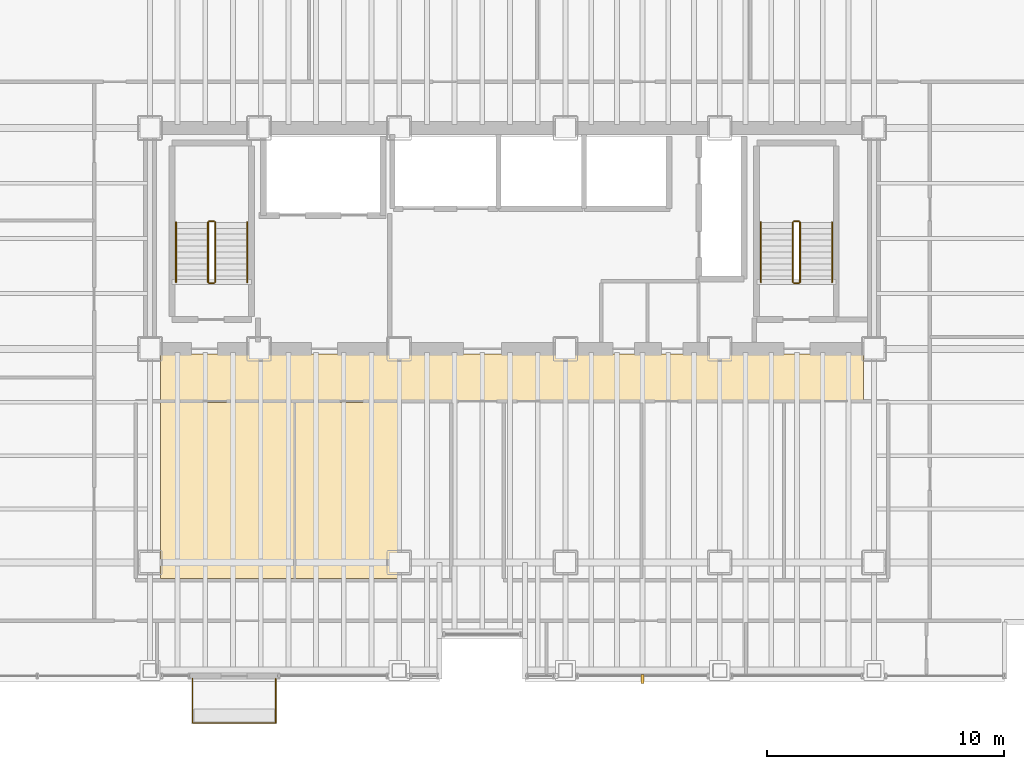
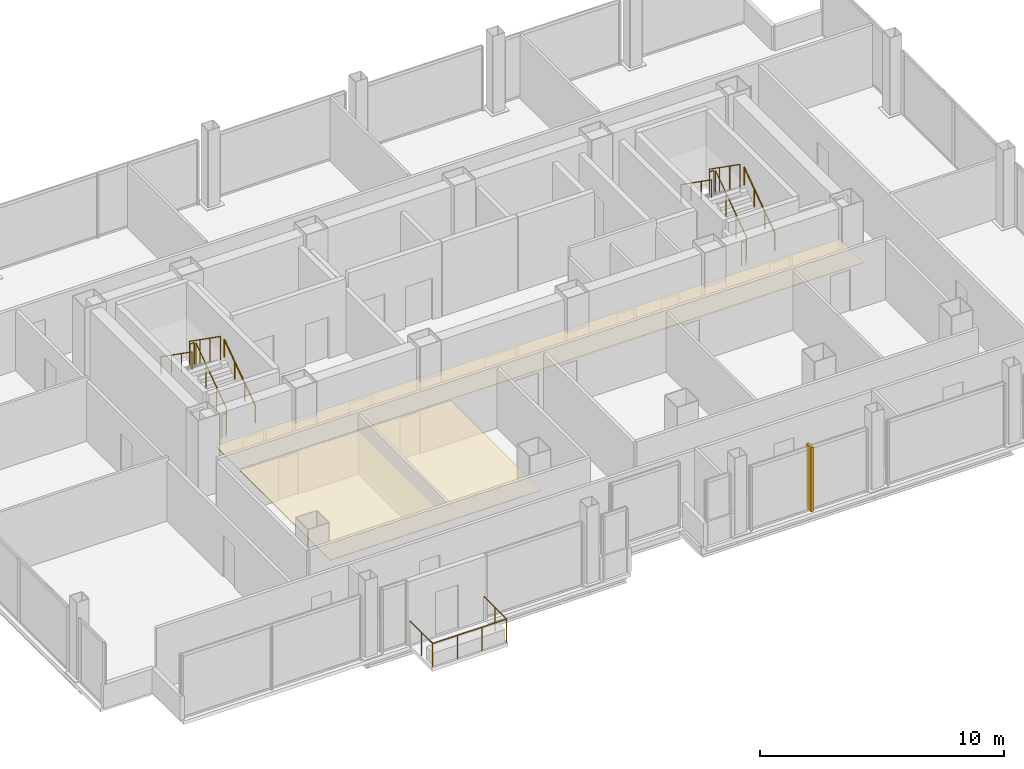
# One storey, part 21 of 21: 13 railings, 2 coverings, 1 shading device.
"""IFC4 building model written with IfcOpenShell, lengths in metres."""

from ifc_helpers import new_model, si_unit, direction, frame, origin, origin_2d, place, context, subcontext, project, spatial, polyline, rectangle, circle, outline, extrude, material, layer, layer_set, type_object, element, save


model = new_model("IFC4")

# Units and contexts
model_context = context("Model", 3, precision=1e-05, world=origin(), true_north=direction((0.0, 1.0)))
body_context = subcontext(model_context, "Body", "Model", "MODEL_VIEW")
ifc_project = project(units=[si_unit("LENGTHUNIT", "METRE"), si_unit("AREAUNIT", "SQUARE_METRE"), si_unit("VOLUMEUNIT", "CUBIC_METRE"), si_unit("PLANEANGLEUNIT", "RADIAN"), si_unit("MASSUNIT", "GRAM", prefix="KILO")], contexts=[model_context])

# Site, building, storey
site_placement = place(None, origin())
site = spatial("IfcSite", under=ifc_project, at=site_placement, CompositionType="ELEMENT")
building_placement = place(site_placement, origin())
building = spatial("IfcBuilding", under=site, at=building_placement, Name="Noeulbin Bourse Tower", CompositionType="ELEMENT")
storey_placement = place(building_placement, frame((0.0, 0.0, 38.199951171875)))
storey = spatial("IfcBuildingStorey", under=building, at=storey_placement, Name="L09", CompositionType="ELEMENT", Elevation=38.199951171875)

# Coverings
ifc_material_1 = material(Name="Perforated Mineral-Fibre Acoustic Tile")
ifc_layer_1 = layer(ifc_material_1, 0.0400390625)
ifc_layer_set_1 = layer_set([ifc_layer_1], Name="Perforated Mineral-Fibre Acoustic Tile")
covering_type = type_object("IfcCoveringType", Name="COV-CEIL-ACT", PredefinedType="CEILING", material=ifc_layer_set_1)
covering_1_placement = place(storey_placement, frame((0.0, 0.0, 2.110107421875)))
element("IfcCovering", 1, at=covering_1_placement, inside=storey, type_object=covering_type, Name="Corridor Suspended Ceiling L09", PredefinedType="CEILING", context=body_context, shape_type="SweptSolid", body=[
    extrude(outline(polyline([(13.949951171875, 26.820068359375), (43.550048828125, 26.820068359375), (43.550048828125, 28.780029296875), (13.949951171875, 28.780029296875), (13.949951171875, 26.820068359375)])), origin(), (0.0, 0.0, 1.0), 0.0400390625),
])
covering_2_placement = place(storey_placement, frame((0.0, 0.0, 2.110107421875)))
element("IfcCovering", 2, at=covering_2_placement, inside=storey, type_object=covering_type, Name="Trading Suite Acoustic Ceiling L09", PredefinedType="CEILING", context=body_context, shape_type="SweptSolid", body=[
    extrude(outline(polyline([(13.949951171875, 19.320068359375), (23.949951171875, 19.320068359375), (23.949951171875, 26.75), (13.949951171875, 26.75), (13.949951171875, 19.320068359375)])), origin(), (0.0, 0.0, 1.0), 0.0400390625),
])

# Railings
ifc_material_2 = material(Name="Laminated SentryGlas and Stainless Steel 316", Category="steel")
ifc_layer_2 = layer(ifc_material_2, 0.06005859375)
ifc_layer_set_2 = layer_set([ifc_layer_2], Name="Laminated SentryGlas and Stainless Steel 316")
railing_type_1 = type_object("IfcRailingType", Name="RLG-BAL-1200", PredefinedType="BALUSTRADE", material=ifc_layer_set_2)
railing_1_placement = place(storey_placement, frame((15.300048828125, 15.1201171875, 0.0)))
element("IfcRailing", 3, at=railing_1_placement, inside=storey, type_object=railing_type_1, Name="Tree-Balcony Glazed Balustrade L09", PredefinedType="BALUSTRADE", context=body_context, shape_type="SweptSolid", body=[
    extrude(circle(Radius=0.02392578125, at=origin_2d()), frame((0.0, 0.0, 1.17578125), z_axis=(0.0, -1.0, 0.0), x_axis=(1.0, 0.0, 0.0)), (0.0, 0.0, 1.0), 1.8701171875),
    extrude(circle(Radius=0.02392578125, at=origin_2d()), frame((0.0, -1.8701171875, 1.17578125), z_axis=(1.0, 0.0, 0.0), x_axis=(0.0, 1.0, 0.0)), (0.0, 0.0, 1.0), 3.5),
    extrude(circle(Radius=0.02392578125, at=origin_2d()), frame((3.5, -1.8701171875, 1.17578125), z_axis=(0.0, 1.0, 0.0), x_axis=(-1.0, 0.0, 0.0)), (0.0, 0.0, 1.0), 1.8701171875),
    extrude(circle(Radius=0.02099609375, at=origin_2d()), origin(), (0.0, 0.0, 1.0), 1.15185546875),
    extrude(circle(Radius=0.02099609375, at=origin_2d()), frame((0.0, -0.93505859375, 0.0)), (0.0, 0.0, 1.0), 1.15185546875),
    extrude(circle(Radius=0.02099609375, at=origin_2d()), frame((0.0, -1.8701171875, 0.0)), (0.0, 0.0, 1.0), 1.15185546875),
    extrude(circle(Radius=0.02099609375, at=origin_2d()), frame((1.166748046875, -1.8701171875, 0.0)), (0.0, 0.0, 1.0), 1.15185546875),
    extrude(circle(Radius=0.02099609375, at=origin_2d()), frame((2.333251953125, -1.8701171875, 0.0)), (0.0, 0.0, 1.0), 1.15185546875),
    extrude(circle(Radius=0.02099609375, at=origin_2d()), frame((3.5, -1.8701171875, 0.0)), (0.0, 0.0, 1.0), 1.15185546875),
    extrude(circle(Radius=0.02099609375, at=origin_2d()), frame((3.5, -0.93505859375, 0.0)), (0.0, 0.0, 1.0), 1.15185546875),
    extrude(circle(Radius=0.02099609375, at=origin_2d()), frame((3.5, 0.0, 0.0)), (0.0, 0.0, 1.0), 1.15185546875),
])
ifc_material_3 = material(Name="Painted Tubular Steel S355", Category="steel")
ifc_layer_3 = layer(ifc_material_3, 0.048095703125)
ifc_layer_set_3 = layer_set([ifc_layer_3], Name="Painted Tubular Steel S355")
railing_type_2 = type_object("IfcRailingType", Name="RLG-STR-GRD", PredefinedType="GUARDRAIL", material=ifc_layer_set_3)
railing_2_placement = place(storey_placement, frame((16.25, 31.81005859375, 0.17724609375)))
element("IfcRailing", 4, at=railing_2_placement, inside=storey, type_object=railing_type_2, Name="L09 ST-1 stair guard 1", PredefinedType="GUARDRAIL", context=body_context, shape_type="SweptSolid", body=[
    extrude(circle(Radius=0.02392578125, at=origin_2d()), frame((0.0, 0.0, 1.17578125), z_axis=(0.0, 0.817904474719, 0.575354039036), x_axis=(-1.0, 0.0, 0.0)), (0.0, 0.0, 1.0), 3.0810546875),
    extrude(circle(Radius=0.02099609375, at=origin_2d()), origin(), (0.0, 0.0, 1.0), 1.15185546875),
    extrude(circle(Radius=0.02099609375, at=origin_2d()), frame((0.0, 0.840087890625, 0.5908203125)), (0.0, 0.0, 1.0), 1.15185546875),
    extrude(circle(Radius=0.02099609375, at=origin_2d()), frame((0.0, 1.679931640625, 1.181884765625)), (0.0, 0.0, 1.0), 1.15185546875),
    extrude(circle(Radius=0.02099609375, at=origin_2d()), frame((0.0, 2.52001953125, 1.772705078125)), (0.0, 0.0, 1.0), 1.15185546875),
])
railing_3_placement = place(storey_placement, frame((16.199951171875, 34.3798828125, 1.949951171875)))
element("IfcRailing", 5, at=railing_3_placement, inside=storey, type_object=railing_type_2, Name="L09 ST-1 stair guard 2", PredefinedType="GUARDRAIL", context=body_context, shape_type="SweptSolid", body=[
    extrude(circle(Radius=0.02392578125, at=origin_2d()), frame((0.0, 0.0, 1.17578125), z_axis=(-1.0, 0.0, 0.0), x_axis=(0.0, -1.0, 0.0)), (0.0, 0.0, 1.0), 0.199951171875),
    extrude(circle(Radius=0.02099609375, at=origin_2d()), origin(), (0.0, 0.0, 1.0), 1.15185546875),
    extrude(circle(Radius=0.02099609375, at=origin_2d()), frame((-0.199951171875, 0.0, 0.0)), (0.0, 0.0, 1.0), 1.15185546875),
])
railing_4_placement = place(storey_placement, frame((15.949951171875, 34.330078125, 2.12744140625)))
element("IfcRailing", 6, at=railing_4_placement, inside=storey, type_object=railing_type_2, Name="L09 ST-1 stair guard 3", PredefinedType="GUARDRAIL", context=body_context, shape_type="SweptSolid", body=[
    extrude(circle(Radius=0.02392578125, at=origin_2d()), frame((0.0, 0.0, 1.17578125), z_axis=(0.0, -0.817904474719, 0.575354039036), x_axis=(1.0, 0.0, 0.0)), (0.0, 0.0, 1.0), 3.0810546875),
    extrude(circle(Radius=0.02099609375, at=origin_2d()), origin(), (0.0, 0.0, 1.0), 1.15185546875),
    extrude(circle(Radius=0.02099609375, at=origin_2d()), frame((0.0, -0.840087890625, 0.5908203125)), (0.0, 0.0, 1.0), 1.15185546875),
    extrude(circle(Radius=0.02099609375, at=origin_2d()), frame((0.0, -1.679931640625, 1.181884765625)), (0.0, 0.0, 1.0), 1.15185546875),
    extrude(circle(Radius=0.02099609375, at=origin_2d()), frame((0.0, -2.52001953125, 1.772705078125)), (0.0, 0.0, 1.0), 1.15185546875),
])
railing_5_placement = place(storey_placement, frame((16.199951171875, 31.760009765625, 0.0)))
element("IfcRailing", 7, at=railing_5_placement, inside=storey, type_object=railing_type_2, Name="L09 ST-1 stair guard 4", PredefinedType="GUARDRAIL", context=body_context, shape_type="SweptSolid", body=[
    extrude(circle(Radius=0.02392578125, at=origin_2d()), frame((0.0, 0.0, 1.17578125), z_axis=(-1.0, 0.0, 0.0), x_axis=(0.0, -1.0, 0.0)), (0.0, 0.0, 1.0), 0.199951171875),
    extrude(circle(Radius=0.02099609375, at=origin_2d()), origin(), (0.0, 0.0, 1.0), 1.15185546875),
    extrude(circle(Radius=0.02099609375, at=origin_2d()), frame((-0.199951171875, 0.0, 0.0)), (0.0, 0.0, 1.0), 1.15185546875),
])
railing_6_placement = place(storey_placement, frame((40.8798828125, 31.81005859375, 0.17724609375)))
element("IfcRailing", 8, at=railing_6_placement, inside=storey, type_object=railing_type_2, Name="L09 ST-2 stair guard 1", PredefinedType="GUARDRAIL", context=body_context, shape_type="SweptSolid", body=[
    extrude(circle(Radius=0.02392578125, at=origin_2d()), frame((0.0, 0.0, 1.17578125), z_axis=(0.0, 0.817904474719, 0.575354039036), x_axis=(-1.0, 0.0, 0.0)), (0.0, 0.0, 1.0), 3.0810546875),
    extrude(circle(Radius=0.02099609375, at=origin_2d()), origin(), (0.0, 0.0, 1.0), 1.15185546875),
    extrude(circle(Radius=0.02099609375, at=origin_2d()), frame((0.0, 0.840087890625, 0.5908203125)), (0.0, 0.0, 1.0), 1.15185546875),
    extrude(circle(Radius=0.02099609375, at=origin_2d()), frame((0.0, 1.679931640625, 1.181884765625)), (0.0, 0.0, 1.0), 1.15185546875),
    extrude(circle(Radius=0.02099609375, at=origin_2d()), frame((0.0, 2.52001953125, 1.772705078125)), (0.0, 0.0, 1.0), 1.15185546875),
])
railing_7_placement = place(storey_placement, frame((40.830078125, 34.3798828125, 1.949951171875)))
element("IfcRailing", 9, at=railing_7_placement, inside=storey, type_object=railing_type_2, Name="L09 ST-2 stair guard 2", PredefinedType="GUARDRAIL", context=body_context, shape_type="SweptSolid", body=[
    extrude(circle(Radius=0.02392578125, at=origin_2d()), frame((0.0, 0.0, 1.17578125), z_axis=(-1.0, 0.0, 0.0), x_axis=(0.0, -1.0, 0.0)), (0.0, 0.0, 1.0), 0.2001953125),
    extrude(circle(Radius=0.02099609375, at=origin_2d()), origin(), (0.0, 0.0, 1.0), 1.15185546875),
    extrude(circle(Radius=0.02099609375, at=origin_2d()), frame((-0.2001953125, 0.0, 0.0)), (0.0, 0.0, 1.0), 1.15185546875),
])
railing_8_placement = place(storey_placement, frame((40.580078125, 34.330078125, 2.12744140625)))
element("IfcRailing", 10, at=railing_8_placement, inside=storey, type_object=railing_type_2, Name="L09 ST-2 stair guard 3", PredefinedType="GUARDRAIL", context=body_context, shape_type="SweptSolid", body=[
    extrude(circle(Radius=0.02392578125, at=origin_2d()), frame((0.0, 0.0, 1.17578125), z_axis=(0.0, -0.817904474719, 0.575354039036), x_axis=(1.0, 0.0, 0.0)), (0.0, 0.0, 1.0), 3.0810546875),
    extrude(circle(Radius=0.02099609375, at=origin_2d()), origin(), (0.0, 0.0, 1.0), 1.15185546875),
    extrude(circle(Radius=0.02099609375, at=origin_2d()), frame((0.0, -0.840087890625, 0.5908203125)), (0.0, 0.0, 1.0), 1.15185546875),
    extrude(circle(Radius=0.02099609375, at=origin_2d()), frame((0.0, -1.679931640625, 1.181884765625)), (0.0, 0.0, 1.0), 1.15185546875),
    extrude(circle(Radius=0.02099609375, at=origin_2d()), frame((0.0, -2.52001953125, 1.772705078125)), (0.0, 0.0, 1.0), 1.15185546875),
])
railing_9_placement = place(storey_placement, frame((40.830078125, 31.760009765625, 0.0)))
element("IfcRailing", 11, at=railing_9_placement, inside=storey, type_object=railing_type_2, Name="L09 ST-2 stair guard 4", PredefinedType="GUARDRAIL", context=body_context, shape_type="SweptSolid", body=[
    extrude(circle(Radius=0.02392578125, at=origin_2d()), frame((0.0, 0.0, 1.17578125), z_axis=(-1.0, 0.0, 0.0), x_axis=(0.0, -1.0, 0.0)), (0.0, 0.0, 1.0), 0.2001953125),
    extrude(circle(Radius=0.02099609375, at=origin_2d()), origin(), (0.0, 0.0, 1.0), 1.15185546875),
    extrude(circle(Radius=0.02099609375, at=origin_2d()), frame((-0.2001953125, 0.0, 0.0)), (0.0, 0.0, 1.0), 1.15185546875),
])
ifc_material_4 = material(Name="Brushed Stainless Steel 316", Category="steel")
ifc_layer_4 = layer(ifc_material_4, 0.048095703125)
ifc_layer_set_4 = layer_set([ifc_layer_4], Name="Brushed Stainless Steel 316")
railing_type_3 = type_object("IfcRailingType", Name="RLG-STR-HND", PredefinedType="HANDRAIL", material=ifc_layer_set_4)
railing_10_placement = place(storey_placement, frame((17.60009765625, 31.81005859375, 0.17724609375)))
element("IfcRailing", 12, at=railing_10_placement, inside=storey, type_object=railing_type_3, Name="L09 ST-1 stair handrail 1", PredefinedType="HANDRAIL", context=body_context, shape_type="SweptSolid", body=[
    extrude(circle(Radius=0.02392578125, at=origin_2d()), frame((0.0, 0.0, 0.8759765625), z_axis=(0.0, 0.817904474719, 0.575354039036), x_axis=(-1.0, 0.0, 0.0)), (0.0, 0.0, 1.0), 3.0810546875),
    extrude(circle(Radius=0.02099609375, at=origin_2d()), origin(), (0.0, 0.0, 1.0), 0.851806640625),
    extrude(circle(Radius=0.02099609375, at=origin_2d()), frame((0.0, 0.840087890625, 0.5908203125)), (0.0, 0.0, 1.0), 0.851806640625),
    extrude(circle(Radius=0.02099609375, at=origin_2d()), frame((0.0, 1.679931640625, 1.181884765625)), (0.0, 0.0, 1.0), 0.851806640625),
    extrude(circle(Radius=0.02099609375, at=origin_2d()), frame((0.0, 2.52001953125, 1.772705078125)), (0.0, 0.0, 1.0), 0.851806640625),
])
railing_11_placement = place(storey_placement, frame((14.60009765625, 34.330078125, 2.12744140625)))
element("IfcRailing", 13, at=railing_11_placement, inside=storey, type_object=railing_type_3, Name="L09 ST-1 stair handrail 2", PredefinedType="HANDRAIL", context=body_context, shape_type="SweptSolid", body=[
    extrude(circle(Radius=0.02392578125, at=origin_2d()), frame((0.0, 0.0, 0.8759765625), z_axis=(0.0, -0.817904474719, 0.575354039036), x_axis=(1.0, 0.0, 0.0)), (0.0, 0.0, 1.0), 3.0810546875),
    extrude(circle(Radius=0.02099609375, at=origin_2d()), origin(), (0.0, 0.0, 1.0), 0.851806640625),
    extrude(circle(Radius=0.02099609375, at=origin_2d()), frame((0.0, -0.840087890625, 0.5908203125)), (0.0, 0.0, 1.0), 0.851806640625),
    extrude(circle(Radius=0.02099609375, at=origin_2d()), frame((0.0, -1.679931640625, 1.181884765625)), (0.0, 0.0, 1.0), 0.851806640625),
    extrude(circle(Radius=0.02099609375, at=origin_2d()), frame((0.0, -2.52001953125, 1.772705078125)), (0.0, 0.0, 1.0), 0.851806640625),
])
railing_12_placement = place(storey_placement, frame((42.22998046875, 31.81005859375, 0.17724609375)))
element("IfcRailing", 14, at=railing_12_placement, inside=storey, type_object=railing_type_3, Name="L09 ST-2 stair handrail 1", PredefinedType="HANDRAIL", context=body_context, shape_type="SweptSolid", body=[
    extrude(circle(Radius=0.02392578125, at=origin_2d()), frame((0.0, 0.0, 0.8759765625), z_axis=(0.0, 0.817904474719, 0.575354039036), x_axis=(-1.0, 0.0, 0.0)), (0.0, 0.0, 1.0), 3.0810546875),
    extrude(circle(Radius=0.02099609375, at=origin_2d()), origin(), (0.0, 0.0, 1.0), 0.851806640625),
    extrude(circle(Radius=0.02099609375, at=origin_2d()), frame((0.0, 0.840087890625, 0.5908203125)), (0.0, 0.0, 1.0), 0.851806640625),
    extrude(circle(Radius=0.02099609375, at=origin_2d()), frame((0.0, 1.679931640625, 1.181884765625)), (0.0, 0.0, 1.0), 0.851806640625),
    extrude(circle(Radius=0.02099609375, at=origin_2d()), frame((0.0, 2.52001953125, 1.772705078125)), (0.0, 0.0, 1.0), 0.851806640625),
])
railing_13_placement = place(storey_placement, frame((39.22998046875, 34.330078125, 2.12744140625)))
element("IfcRailing", 15, at=railing_13_placement, inside=storey, type_object=railing_type_3, Name="L09 ST-2 stair handrail 2", PredefinedType="HANDRAIL", context=body_context, shape_type="SweptSolid", body=[
    extrude(circle(Radius=0.02392578125, at=origin_2d()), frame((0.0, 0.0, 0.8759765625), z_axis=(0.0, -0.817904474719, 0.575354039036), x_axis=(1.0, 0.0, 0.0)), (0.0, 0.0, 1.0), 3.0810546875),
    extrude(circle(Radius=0.02099609375, at=origin_2d()), origin(), (0.0, 0.0, 1.0), 0.851806640625),
    extrude(circle(Radius=0.02099609375, at=origin_2d()), frame((0.0, -0.840087890625, 0.5908203125)), (0.0, 0.0, 1.0), 0.851806640625),
    extrude(circle(Radius=0.02099609375, at=origin_2d()), frame((0.0, -1.679931640625, 1.181884765625)), (0.0, 0.0, 1.0), 0.851806640625),
    extrude(circle(Radius=0.02099609375, at=origin_2d()), frame((0.0, -2.52001953125, 1.772705078125)), (0.0, 0.0, 1.0), 0.851806640625),
])

# Shading device
ifc_material_5 = material(Name="Anodised Aluminium 6063-T6", Category="aluminium")
ifc_layer_5 = layer(ifc_material_5, 3.199951171875)
ifc_layer_set_5 = layer_set([ifc_layer_5], Name="Anodised Aluminium 6063-T6")
shading_device_type = type_object("IfcShadingDeviceType", Name="SHD-FIN-400", PredefinedType="USERDEFINED", material=ifc_layer_set_5)
shading_device_placement = place(storey_placement, frame((34.25, 15.10009765625, 0.14990234375), z_axis=(0.0, 0.0, 1.0), x_axis=(1.0, 0.0, 0.0)))
element("IfcShadingDevice", 16, at=shading_device_placement, inside=storey, type_object=shading_device_type, Name="Vertical Solar Fin SN-L09-2", ObjectType="SUNSHADE", PredefinedType="USERDEFINED", context=body_context, shape_type="SweptSolid", body=[
    extrude(rectangle(XDim=0.1201171875, YDim=0.3798828125, at=origin_2d()), origin(), (0.0, 0.0, 1.0), 3.199951171875),
])

save(model, "model.ifc")
